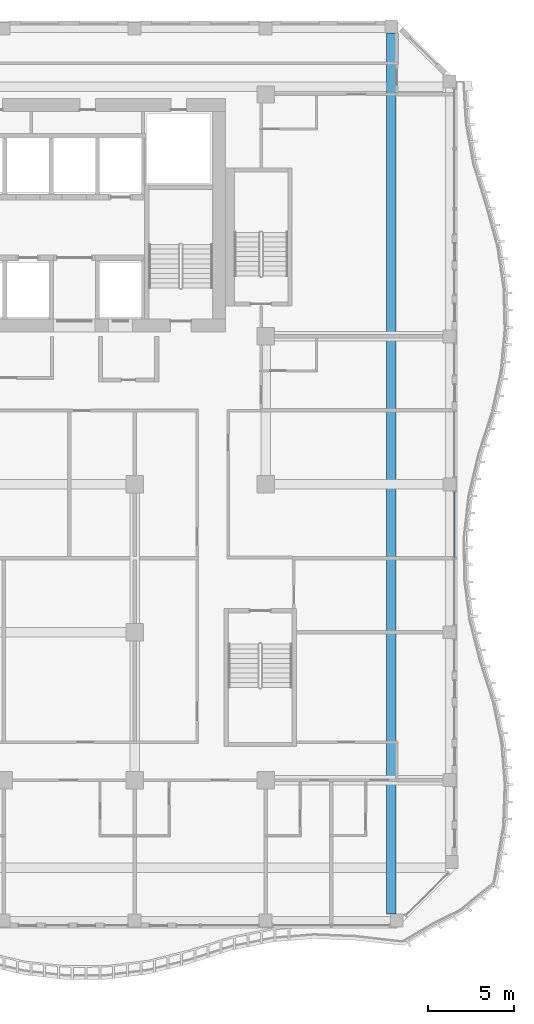
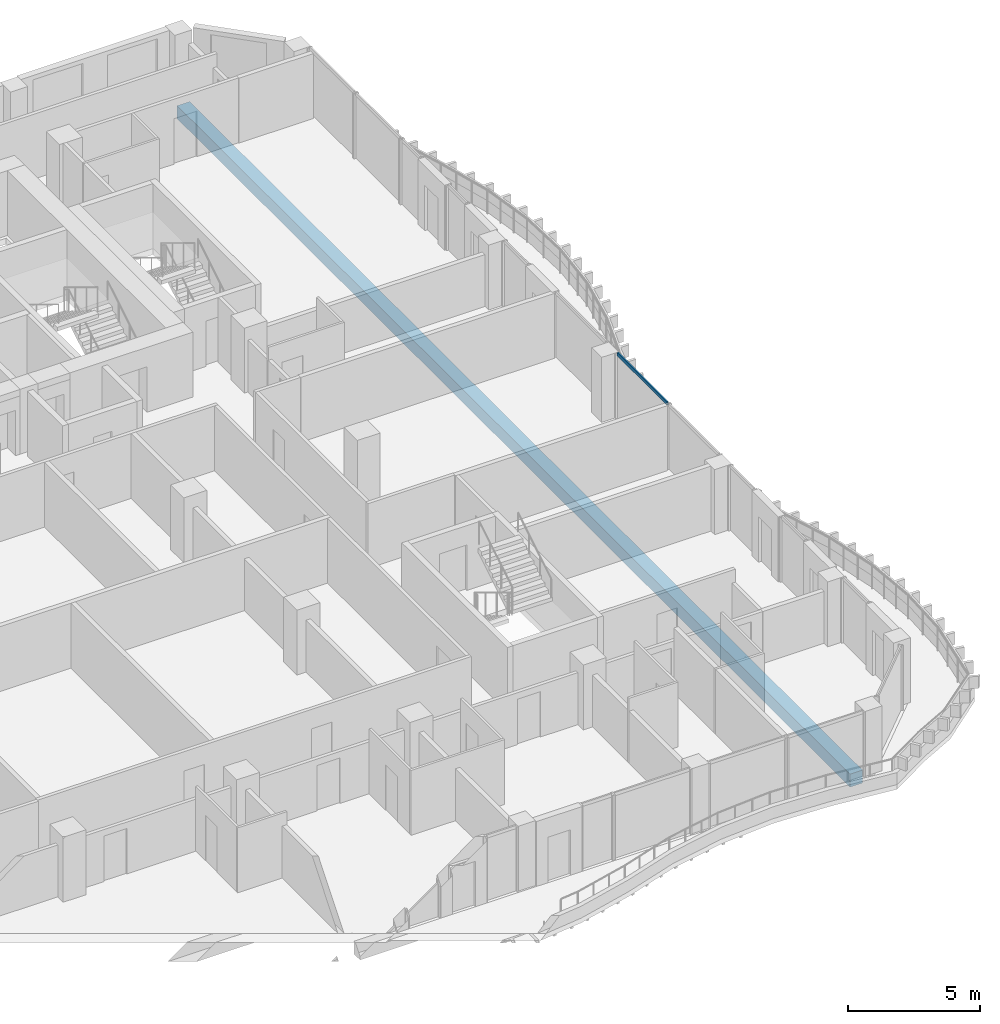
# One storey, part 5 of 22: 1 beam, 1 member, 1 element without a shape of its own.
"""IFC4 building model written with IfcOpenShell, lengths in metres."""

from ifc_helpers import new_model, si_unit, direction, frame, origin, origin_2d, place, context, subcontext, project, spatial, rectangle, extrude, source, transform, mapped, material, material_profile, profile_set, type_object, element, aggregate, save


model = new_model("IFC4")

# Units and contexts
model_context = context("Model", 3, precision=1e-05, world=origin(), true_north=direction((0.0, 1.0)))
body_context = subcontext(model_context, "Body", "Model", "MODEL_VIEW")
ifc_project = project(units=[si_unit("LENGTHUNIT", "METRE"), si_unit("AREAUNIT", "SQUARE_METRE"), si_unit("VOLUMEUNIT", "CUBIC_METRE"), si_unit("PLANEANGLEUNIT", "RADIAN"), si_unit("MASSUNIT", "GRAM", prefix="KILO")], contexts=[model_context])

# Site, building, storey
site_placement = place(None, origin())
site = spatial("IfcSite", under=ifc_project, at=site_placement, CompositionType="ELEMENT")
building_placement = place(site_placement, origin())
building = spatial("IfcBuilding", under=site, at=building_placement, Name="Kilnfold Tower and Market Hall", CompositionType="ELEMENT")
storey_placement = place(building_placement, frame((0.0, 0.0, 220.300048828125)))
storey = spatial("IfcBuildingStorey", under=building, at=storey_placement, Name="L54", CompositionType="ELEMENT", Elevation=220.300048828125)

# Beam
ifc_material_1 = material(Name="Concrete C45", Category="concrete")
ifc_material_profile_1 = material_profile(ifc_material_1, rectangle(XDim=0.550048828125, YDim=0.60009765625, at=origin_2d()), Name="RC 550x600")
ifc_profile_set_1 = profile_set([ifc_material_profile_1], Name="Concrete C45")
beam_type = type_object("IfcBeamType", Name="BEAM 550X600 C45", PredefinedType="BEAM", material=ifc_profile_set_1)
shared_shape_1 = source(origin(), body_context, "Body", "SweptSolid", [
    extrude(rectangle(XDim=0.550048828125, YDim=0.60009765625, at=origin_2d()), origin(), (0.0, 0.0, 1.0), 50.98193359375),
])
beam_placement = place(storey_placement, frame((27.429931640625, -25.425048828125, -0.580078125), z_axis=(0.0, 1.0, 0.0), x_axis=(-1.0, 0.0, 0.0)))
element("IfcBeam", 1, at=beam_placement, inside=storey, type_object=beam_type, Name="Beam BB600-B6.69", PredefinedType="BEAM", context=body_context, shape_type="MappedRepresentation", body=[
    mapped(shared_shape_1, transform((0.0, 0.0, 0.0))),
])

# Curtain wall, member
ifc_material_2 = material(Name="Aluminium and double glazing", Category="aluminium")
curtain_wall_type = type_object("IfcCurtainWallType", Name="CW GARDEN HOTEL WINTER GARDEN", PredefinedType="NOTDEFINED", material=ifc_material_2)
curtain_wall_placement = place(storey_placement, origin())
curtain_wall = element("IfcCurtainWall", 2, at=curtain_wall_placement, inside=storey, type_object=curtain_wall_type, Name="Curtain wall CW5 L54 E", PredefinedType="NOTDEFINED")
ifc_material_3 = material(Name="Aluminium", Category="aluminium")
ifc_material_profile_2 = material_profile(ifc_material_3, rectangle(XDim=0.06494140625, YDim=0.14990234375, at=origin_2d()), Name="TRANSOM 65x150")
ifc_profile_set_2 = profile_set([ifc_material_profile_2], Name="Aluminium")
member_type = type_object("IfcMemberType", Name="TRANSOM 65X150", PredefinedType="USERDEFINED", material=ifc_profile_set_2)
shared_shape_2 = source(origin(), body_context, "Body", "SweptSolid", [
    extrude(rectangle(XDim=0.06494140625, YDim=0.14990234375, at=origin_2d()), origin(), (0.0, 0.0, 1.0), 3.7763671875),
])
member_placement = place(storey_placement, frame((31.10009765625, -4.77880859375, 2.967529296875), z_axis=(0.0, 1.0, 0.0), x_axis=(-1.0, 0.0, 0.0)))
member = element("IfcMember", 3, at=member_placement, type_object=member_type, Name="CW5 transom 1.2", ObjectType="TRANSOM", PredefinedType="USERDEFINED", context=body_context, shape_type="MappedRepresentation", body=[
    mapped(shared_shape_2, transform((0.0, 0.0, 0.0))),
])
aggregate(curtain_wall, [member])

save(model, "model.ifc")
